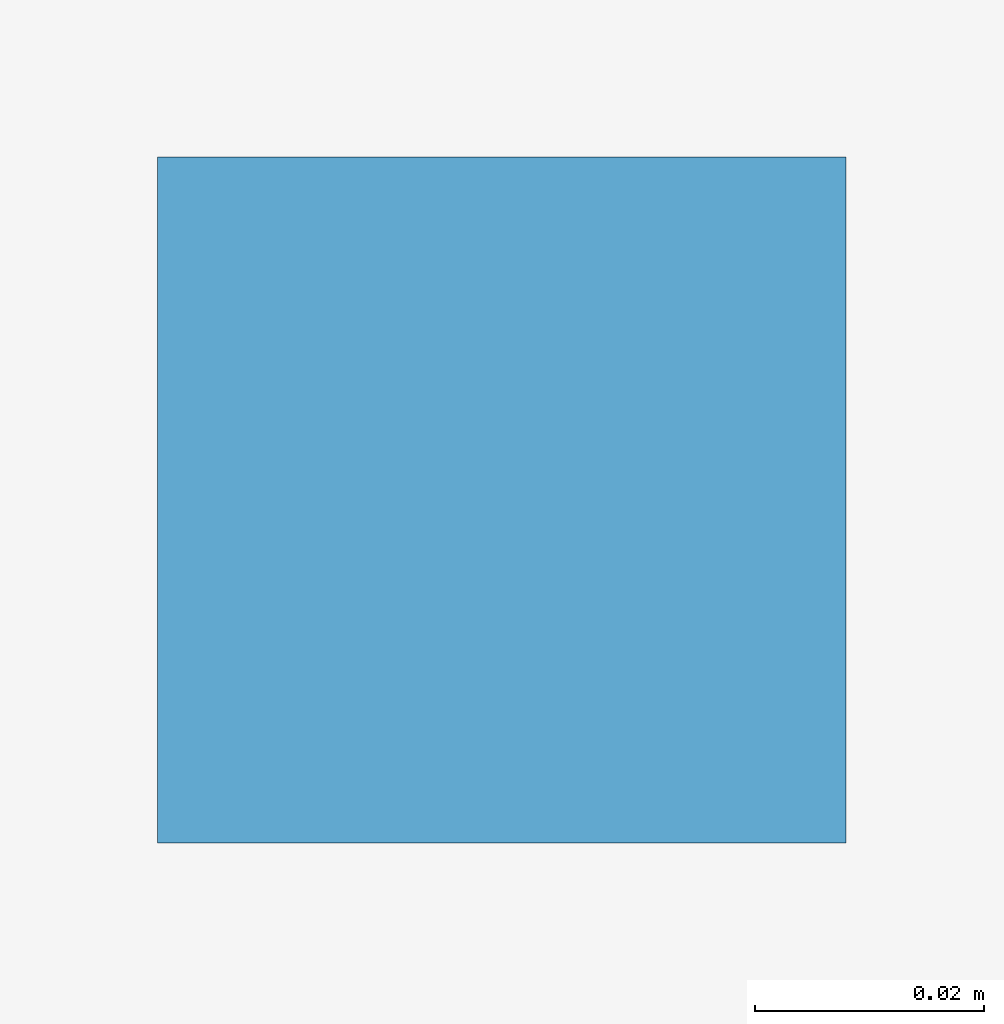
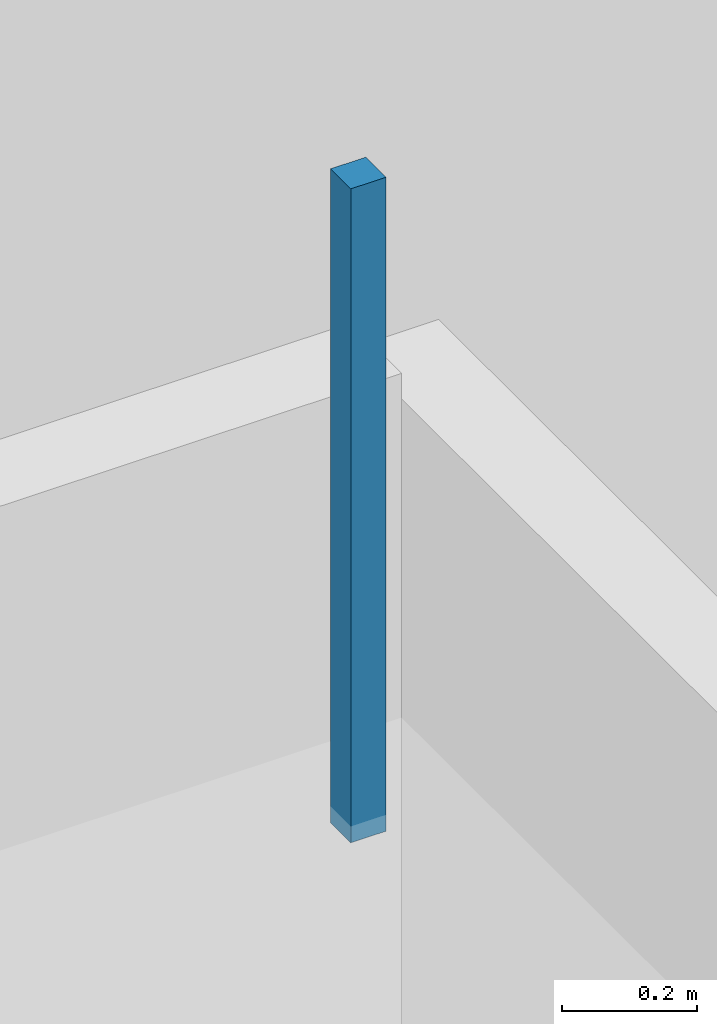
# One storey, part 39 of 59: 1 discrete accessory.
"""IFC4 building model written with IfcOpenShell, lengths in metres."""

from ifc_helpers import new_model, si_unit, direction, frame, origin, place, context, subcontext, project, spatial, polyline, outline, extrude, material, type_object, element, save


model = new_model("IFC4")

# Units and contexts
model_context = context("Model", 3, precision=1e-05, world=origin(), true_north=direction((0.0, 1.0)))
body_context = subcontext(model_context, "Body", "Model", "MODEL_VIEW")
ifc_project = project(units=[si_unit("LENGTHUNIT", "METRE"), si_unit("AREAUNIT", "SQUARE_METRE"), si_unit("VOLUMEUNIT", "CUBIC_METRE"), si_unit("PLANEANGLEUNIT", "RADIAN"), si_unit("MASSUNIT", "GRAM", prefix="KILO")], contexts=[model_context])

# Site, building, storey
site_placement = place(None, origin())
site = spatial("IfcSite", under=ifc_project, at=site_placement, CompositionType="ELEMENT")
building_placement = place(site_placement, origin())
building = spatial("IfcBuilding", under=site, at=building_placement, Name="Dunescarp Central Library", CompositionType="ELEMENT")
storey_placement = place(building_placement, frame((0.0, 0.0, 18.60009765625)))
storey = spatial("IfcBuildingStorey", under=building, at=storey_placement, Name="L04", CompositionType="ELEMENT", Elevation=18.60009765625)

# Discrete accessory
ifc_material = material(Name="Stainless steel Grade 316L", Category="steel")
discrete_accessory_type = type_object("IfcDiscreteAccessoryType", Name="ARC-ACC-BRK", PredefinedType="BRACKET", material=ifc_material)
discrete_accessory_placement = place(storey_placement, frame((0.0, 0.0, 3.059814453125)))
element("IfcDiscreteAccessory", 1, at=discrete_accessory_placement, inside=storey, type_object=discrete_accessory_type, Name="L04 ceiling hanger CLG-L04-033-H2", PredefinedType="BRACKET", context=body_context, shape_type="SweptSolid", body=[
    extrude(outline(polyline([(5.919921875, 29.820068359375), (5.97998046875, 29.820068359375), (5.97998046875, 29.8798828125), (5.919921875, 29.8798828125), (5.919921875, 29.820068359375)])), origin(), (0.0, 0.0, 1.0), 1.18017578125),
])

save(model, "model.ifc")
